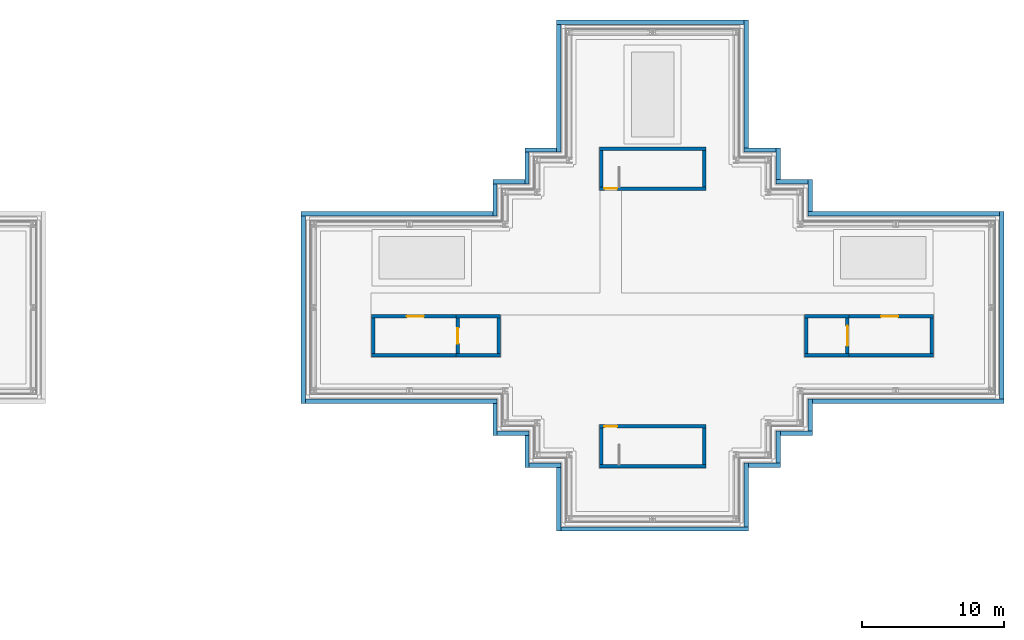
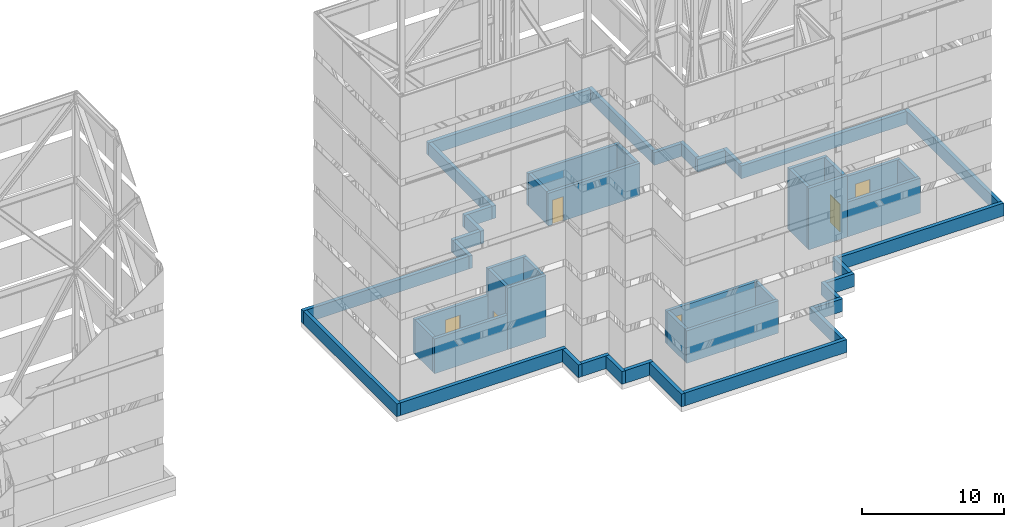
# One storey, part 11 of 19: 50 walls, 6 doors, 6 openings.
"""IFC4 building model written with IfcOpenShell, lengths in metres."""

import ifcopenshell
import ifcopenshell.guid

model = None  # the IFC model being written
_history = None  # IfcOwnerHistory: only IFC2X3 demands one
_inside = {}  # id of a spatial element -> (the spatial element, [elements in it])
_under = {}  # id of a project, library or spatial element -> (it, [spatial elements below it])
_declared = {}  # id of a project -> (the project, [libraries it declares])
_typed = {}  # id of a type object -> (the type object, [elements of that type])
_made_of = {}  # id of a material, layer set ... -> (it, [elements and type objects made of it])


def new_model(schema):
    """Start an empty IFC model of exactly this schema.

    Asked for "IFC4X3", IfcOpenShell would pick the latest addendum, in which some entities
    have other attributes; the version numbers below select the first issue.
    IFC2X3 requires an IfcOwnerHistory on every rooted entity: one is made here for all.
    """
    global model, _history
    if schema == "IFC4X3":
        model = ifcopenshell.file(schema_version=(4, 3, 0, 0))
    else:
        model = ifcopenshell.file(schema=schema)
    _inside.clear()
    _under.clear()
    _declared.clear()
    _typed.clear()
    _made_of.clear()
    _history = None
    if model.schema == "IFC2X3":
        org = make("IfcOrganization", Name="unknown")
        user = make(
            "IfcPersonAndOrganization",
            ThePerson=make("IfcPerson", FamilyName="unknown"),
            TheOrganization=org,
        )
        app = make(
            "IfcApplication",
            ApplicationDeveloper=org,
            Version="unknown",
            ApplicationFullName="unknown",
            ApplicationIdentifier="unknown",
        )
        _history = make(
            "IfcOwnerHistory",
            OwningUser=user,
            OwningApplication=app,
            ChangeAction="ADDED",
            CreationDate=0,
        )
    return model


def make(cls, **values):
    """One entity of the class cls with the attributes given. An attribute that is None is left unset."""
    return model.create_entity(
        cls, **{name: value for name, value in values.items() if value is not None}
    )


def rooted(cls, **values):
    """An entity with a GlobalId (a new one), such as an element, a storey or a relation."""
    return make(cls, GlobalId=ifcopenshell.guid.new(), OwnerHistory=_history, **values)


def si_unit(unit_type, name, prefix=None):
    """IfcSIUnit, for example si_unit("LENGTHUNIT", "METRE", prefix="MILLI")."""
    return make("IfcSIUnit", UnitType=unit_type, Prefix=prefix, Name=name)


def assignment(units):
    """IfcUnitAssignment: the units of a project."""
    return None if units is None else make("IfcUnitAssignment", Units=units)


def point(xyz):
    """IfcCartesianPoint."""
    return None if xyz is None else make("IfcCartesianPoint", Coordinates=xyz)


def direction(xyz):
    """IfcDirection."""
    return None if xyz is None else make("IfcDirection", DirectionRatios=xyz)


def frame(location, z_axis=None, x_axis=None):
    """IfcAxis2Placement3D, a coordinate frame: its origin and axes. An axis left out is left unset."""
    return make(
        "IfcAxis2Placement3D",
        Location=point(location),
        Axis=direction(z_axis),
        RefDirection=direction(x_axis),
    )


def frame_2d(location, x_axis=None):
    """IfcAxis2Placement2D, a coordinate frame in the plane: its origin and x axis."""
    return make(
        "IfcAxis2Placement2D", Location=point(location), RefDirection=direction(x_axis)
    )


def origin():
    """The frame at (0, 0, 0) with its axes left unset."""
    return frame((0.0, 0.0, 0.0))


def place(relative_to, where):
    """IfcLocalPlacement: puts the frame where relative to a parent placement (None: the world)."""
    return make(
        "IfcLocalPlacement", PlacementRelTo=relative_to, RelativePlacement=where
    )


def context(
    kind, dimensions, precision=None, world=None, true_north=None, identifier=None
):
    """IfcGeometricRepresentationContext, for example the 3D "Model" context."""
    return make(
        "IfcGeometricRepresentationContext",
        ContextIdentifier=identifier,
        ContextType=kind,
        CoordinateSpaceDimension=dimensions,
        Precision=precision,
        WorldCoordinateSystem=world,
        TrueNorth=true_north,
    )


def subcontext(parent, identifier, kind, view, scale=None):
    """IfcGeometricRepresentationSubContext, for example "Body" below "Model"."""
    return make(
        "IfcGeometricRepresentationSubContext",
        ContextIdentifier=identifier,
        ContextType=kind,
        ParentContext=parent,
        TargetScale=scale,
        TargetView=view,
    )


def project(units=None, contexts=None):
    """IfcProject with its units and contexts."""
    return rooted(
        "IfcProject",
        Name="project",
        RepresentationContexts=contexts,
        UnitsInContext=assignment(units),
    )


def spatial(cls, under=None, at=None, **own):
    """A site, building, storey or space (cls), placed at a placement, below another one or the project."""
    s = rooted(cls, ObjectPlacement=at, **own)
    if under is not None:
        _under.setdefault(under.id(), (under, []))[1].append(s)
    return s


def profile(cls, at=None, kind="AREA", **sizes):
    """A parametric profile (cls). Its sizes go by their IFC names, for example OverallWidth=200.0."""
    return make(cls, ProfileType=kind, Position=at, **sizes)


def rectangle(**sizes):
    """IfcRectangleProfileDef."""
    return profile("IfcRectangleProfileDef", **sizes)


def extrude(swept, where, along, depth):
    """IfcExtrudedAreaSolid: the profile swept, set in the frame where, extruded along a direction by depth."""
    return make(
        "IfcExtrudedAreaSolid",
        SweptArea=swept,
        Position=where,
        ExtrudedDirection=direction(along),
        Depth=depth,
    )


def shape(context_of_items, identifier, shape_type, items):
    """IfcShapeRepresentation: the items that make up one representation, for example the "Body"."""
    return make(
        "IfcShapeRepresentation",
        ContextOfItems=context_of_items,
        RepresentationIdentifier=identifier,
        RepresentationType=shape_type,
        Items=items,
    )


def material(Name=None, Category=None):
    """IfcMaterial."""
    return make("IfcMaterial", Name=Name, Category=Category)


def layer(
    of_material, thickness, ventilated=None, Name=None, Category=None, Priority=None
):
    """IfcMaterialLayer: one layer of a wall or slab, of a material (None: an air gap)."""
    return make(
        "IfcMaterialLayer",
        Material=of_material,
        LayerThickness=thickness,
        IsVentilated=ventilated,
        Name=Name,
        Category=Category,
        Priority=Priority,
    )


def layer_set(layers, Name=None):
    """IfcMaterialLayerSet."""
    return make("IfcMaterialLayerSet", MaterialLayers=layers, LayerSetName=Name)


def made_of(thing, what):
    """Note that an element or type object is made of a material, layer set ...; save() writes the relation."""
    if what is not None:
        _made_of.setdefault(what.id(), (what, []))[1].append(thing)
    return thing


def type_object(cls, material=None, **own):
    """A type object (cls), such as IfcWallType, which elements share."""
    return made_of(rooted(cls, **own), material)


def element(
    cls,
    number,
    at=None,
    inside=None,
    cuts=None,
    type_object=None,
    material=None,
    context=None,
    identifier="Body",
    shape_type=None,
    held_by="IfcProductDefinitionShape",
    body=None,
    shapes=None,
    **own,
):
    """One element of the class cls, such as IfcWall. Its Tag is "e" and its number.

    at: its placement. inside: the storey or other place that contains it. cuts: it is an
    opening in that element (IfcRelVoidsElement). A single representation is given by context,
    identifier, shape_type and body (its items); several are given by shapes. held_by: the class
    of the entity that holds the representations. save() writes the other relations.
    """
    e = rooted(cls, Tag="e%d" % number, ObjectPlacement=at, **own)
    if body is not None:
        shapes = [shape(context, identifier, shape_type, body)]
    if shapes is not None:
        e.Representation = make(held_by, Representations=shapes)
    if inside is not None:
        _inside.setdefault(inside.id(), (inside, []))[1].append(e)
    if cuts is not None:
        rooted(
            "IfcRelVoidsElement", RelatingBuildingElement=cuts, RelatedOpeningElement=e
        )
    if type_object is not None:
        _typed.setdefault(type_object.id(), (type_object, []))[1].append(e)
    return made_of(e, material)


def fill(opening, filler):
    """IfcRelFillsElement: the door or window that sits in an opening."""
    return rooted(
        "IfcRelFillsElement",
        RelatingOpeningElement=opening,
        RelatedBuildingElement=filler,
    )


def aggregate(whole, parts):
    """IfcRelAggregates: a whole, such as a stair, and the parts it consists of."""
    return rooted("IfcRelAggregates", RelatingObject=whole, RelatedObjects=parts)


def save(model, path):
    """Write the relations noted so far, then the file.

    IfcRelAggregates (storeys below a building ...), IfcRelContainedInSpatialStructure (elements
    in a storey), IfcRelDefinesByType, IfcRelAssociatesMaterial and IfcRelDeclares: one each for
    every whole, place, type object, material and project.
    """
    for whole, parts in _under.values():
        aggregate(whole, parts)
    for where, things in _inside.values():
        rooted(
            "IfcRelContainedInSpatialStructure",
            RelatedElements=things,
            RelatingStructure=where,
        )
    for kind, things in _typed.values():
        rooted("IfcRelDefinesByType", RelatedObjects=things, RelatingType=kind)
    for what, things in _made_of.values():
        rooted("IfcRelAssociatesMaterial", RelatedObjects=things, RelatingMaterial=what)
    for by, libraries in _declared.values():
        rooted("IfcRelDeclares", RelatingContext=by, RelatedDefinitions=libraries)
    model.write(path)


model = new_model("IFC4")

# Units and contexts
model_context = context("Model", 3, precision=1e-05, world=origin(), true_north=direction((0.0, 1.0)))
body_context = subcontext(model_context, "Body", "Model", "MODEL_VIEW")
ifc_project = project(units=[si_unit("LENGTHUNIT", "METRE"), si_unit("AREAUNIT", "SQUARE_METRE"), si_unit("VOLUMEUNIT", "CUBIC_METRE"), si_unit("PLANEANGLEUNIT", "RADIAN"), si_unit("MASSUNIT", "GRAM", prefix="KILO")], contexts=[model_context])

# Site, building, storey
site_placement = place(None, origin())
site = spatial("IfcSite", under=ifc_project, at=site_placement, CompositionType="ELEMENT")
building_placement = place(site_placement, origin())
building = spatial("IfcBuilding", under=site, at=building_placement, Name="Shamsa Quay Exchange Towers", CompositionType="ELEMENT")
storey_placement = place(building_placement, frame((0.0, 0.0, 284.300048828125)))
storey = spatial("IfcBuildingStorey", under=building, at=storey_placement, Name="Roof", CompositionType="ELEMENT", Elevation=284.300048828125)

# Walls
ifc_material_1 = material(Name="Reinforced concrete C30/37", Category="concrete")
ifc_layer_1 = layer(ifc_material_1, 0.300048828125)
ifc_layer_set_1 = layer_set([ifc_layer_1], Name="ROOF PARAPET 300 C30/37")
wall_type_1 = type_object("IfcWallType", Name="ROOF PARAPET 300 C30/37", PredefinedType="PARAPET", material=ifc_layer_set_1)
wall_1_placement = place(storey_placement, frame((42.60009765625, -10.949951171875, 0.0), z_axis=(0.0, 0.0, 1.0), x_axis=(0.0, 1.0, 0.0)))
element("IfcWall", 1, at=wall_1_placement, inside=storey, type_object=wall_type_1, Name="Parapet T2 1", PredefinedType="PARAPET", context=body_context, shape_type="SweptSolid", body=[
    extrude(rectangle(XDim=2.25, YDim=0.300048828125, at=frame_2d((1.125, 0.0))), origin(), (0.0, 0.0, 1.0), 1.099853515625),
])
wall_2_placement = place(storey_placement, frame((42.75, -8.85009765625, 0.0)))
element("IfcWall", 2, at=wall_2_placement, inside=storey, type_object=wall_type_1, Name="Parapet T2 2", PredefinedType="PARAPET", context=body_context, shape_type="SweptSolid", body=[
    extrude(rectangle(XDim=2.25, YDim=0.300048828125, at=frame_2d((1.125, 0.0))), origin(), (0.0, 0.0, 1.0), 1.099853515625),
])
wall_3_placement = place(storey_placement, frame((44.85009765625, -8.699951171875, 0.0), z_axis=(0.0, 0.0, 1.0), x_axis=(0.0, 1.0, 0.0)))
element("IfcWall", 3, at=wall_3_placement, inside=storey, type_object=wall_type_1, Name="Parapet T2 3", PredefinedType="PARAPET", context=body_context, shape_type="SweptSolid", body=[
    extrude(rectangle(XDim=2.25, YDim=0.300048828125, at=frame_2d((1.125, 0.0))), origin(), (0.0, 0.0, 1.0), 1.099853515625),
])
wall_4_placement = place(storey_placement, frame((45.0, -6.60009765625, 0.0)))
element("IfcWall", 4, at=wall_4_placement, inside=storey, type_object=wall_type_1, Name="Parapet T2 4", PredefinedType="PARAPET", context=body_context, shape_type="SweptSolid", body=[
    extrude(rectangle(XDim=13.5, YDim=0.300048828125, at=frame_2d((6.75, 0.0))), origin(), (0.0, 0.0, 1.0), 1.099853515625),
])
wall_5_placement = place(storey_placement, frame((58.35009765625, -6.449951171875, 0.0), z_axis=(0.0, 0.0, 1.0), x_axis=(0.0, 1.0, 0.0)))
element("IfcWall", 5, at=wall_5_placement, inside=storey, type_object=wall_type_1, Name="Parapet T2 5", PredefinedType="PARAPET", context=body_context, shape_type="SweptSolid", body=[
    extrude(rectangle(XDim=13.199951171875, YDim=0.300048828125, at=frame_2d((6.60009765625, 0.0))), origin(), (0.0, 0.0, 1.0), 1.099853515625),
])
wall_6_placement = place(storey_placement, frame((58.199951171875, 6.60009765625, 0.0), z_axis=(0.0, 0.0, 1.0), x_axis=(-1.0, 0.0, 0.0)))
element("IfcWall", 6, at=wall_6_placement, inside=storey, type_object=wall_type_1, Name="Parapet T2 6", PredefinedType="PARAPET", context=body_context, shape_type="SweptSolid", body=[
    extrude(rectangle(XDim=13.5, YDim=0.300048828125, at=frame_2d((6.75, 0.0))), origin(), (0.0, 0.0, 1.0), 1.099853515625),
])
for number, where, z_axis, x_axis, name in (
    (7, (44.85009765625, 6.75, 0.0), (0.0, 0.0, 1.0), (0.0, 1.0, 0.0), "Parapet T2 7"),
    (8, (44.699951171875, 8.85009765625, 0.0), (0.0, 0.0, 1.0), (-1.0, 0.0, 0.0), "Parapet T2 8"),
    (9, (42.60009765625, 9.0, 0.0), (0.0, 0.0, 1.0), (0.0, 1.0, 0.0), "Parapet T2 9"),
    (10, (42.449951171875, 11.10009765625, 0.0), (0.0, 0.0, 1.0), (-1.0, 0.0, 0.0), "Parapet T2 10"),
):
    element("IfcWall", number, at=place(storey_placement, frame(where, z_axis=z_axis, x_axis=x_axis)), inside=storey, type_object=wall_type_1, Name=name, PredefinedType="PARAPET", context=body_context, shape_type="SweptSolid", body=[
        extrude(rectangle(XDim=2.25, YDim=0.300048828125, at=frame_2d((1.125, 0.0))), origin(), (0.0, 0.0, 1.0), 1.099853515625),
    ])
wall_7_placement = place(storey_placement, frame((40.35009765625, 11.25, 0.0), z_axis=(0.0, 0.0, 1.0), x_axis=(0.0, 1.0, 0.0)))
element("IfcWall", 11, at=wall_7_placement, inside=storey, type_object=wall_type_1, Name="Parapet T2 11", PredefinedType="PARAPET", context=body_context, shape_type="SweptSolid", body=[
    extrude(rectangle(XDim=9.0, YDim=0.300048828125, at=frame_2d((4.5, 0.0))), origin(), (0.0, 0.0, 1.0), 1.099853515625),
])
wall_8_placement = place(storey_placement, frame((40.199951171875, 20.10009765625, 0.0), z_axis=(0.0, 0.0, 1.0), x_axis=(-1.0, 0.0, 0.0)))
element("IfcWall", 12, at=wall_8_placement, inside=storey, type_object=wall_type_1, Name="Parapet T2 12", PredefinedType="PARAPET", context=body_context, shape_type="SweptSolid", body=[
    extrude(rectangle(XDim=13.199951171875, YDim=0.300048828125, at=frame_2d((6.60009765625, 0.0))), origin(), (0.0, 0.0, 1.0), 1.099853515625),
])
wall_9_placement = place(storey_placement, frame((27.14990234375, 19.949951171875, 0.0), z_axis=(0.0, 0.0, 1.0), x_axis=(0.0, -1.0, 0.0)))
element("IfcWall", 13, at=wall_9_placement, inside=storey, type_object=wall_type_1, Name="Parapet T2 13", PredefinedType="PARAPET", context=body_context, shape_type="SweptSolid", body=[
    extrude(rectangle(XDim=9.0, YDim=0.300048828125, at=frame_2d((4.5, 0.0))), origin(), (0.0, 0.0, 1.0), 1.099853515625),
])
for number, where, z_axis, x_axis, name in (
    (14, (27.0, 11.10009765625, 0.0), (0.0, 0.0, 1.0), (-1.0, 0.0, 0.0), "Parapet T2 14"),
    (15, (24.89990234375, 10.949951171875, 0.0), (0.0, 0.0, 1.0), (0.0, -1.0, 0.0), "Parapet T2 15"),
    (16, (24.75, 8.85009765625, 0.0), (0.0, 0.0, 1.0), (-1.0, 0.0, 0.0), "Parapet T2 16"),
    (17, (22.64990234375, 8.699951171875, 0.0), (0.0, 0.0, 1.0), (0.0, -1.0, 0.0), "Parapet T2 17"),
):
    element("IfcWall", number, at=place(storey_placement, frame(where, z_axis=z_axis, x_axis=x_axis)), inside=storey, type_object=wall_type_1, Name=name, PredefinedType="PARAPET", context=body_context, shape_type="SweptSolid", body=[
        extrude(rectangle(XDim=2.25, YDim=0.300048828125, at=frame_2d((1.125, 0.0))), origin(), (0.0, 0.0, 1.0), 1.099853515625),
    ])
wall_10_placement = place(storey_placement, frame((22.5, 6.60009765625, 0.0), z_axis=(0.0, 0.0, 1.0), x_axis=(-1.0, 0.0, 0.0)))
element("IfcWall", 18, at=wall_10_placement, inside=storey, type_object=wall_type_1, Name="Parapet T2 18", PredefinedType="PARAPET", context=body_context, shape_type="SweptSolid", body=[
    extrude(rectangle(XDim=13.5, YDim=0.300048828125, at=frame_2d((6.75, 0.0))), origin(), (0.0, 0.0, 1.0), 1.099853515625),
])
wall_11_placement = place(storey_placement, frame((9.14990234375, 6.449951171875, 0.0), z_axis=(0.0, 0.0, 1.0), x_axis=(0.0, -1.0, 0.0)))
element("IfcWall", 19, at=wall_11_placement, inside=storey, type_object=wall_type_1, Name="Parapet T2 19", PredefinedType="PARAPET", context=body_context, shape_type="SweptSolid", body=[
    extrude(rectangle(XDim=13.199951171875, YDim=0.300048828125, at=frame_2d((6.60009765625, 0.0))), origin(), (0.0, 0.0, 1.0), 1.099853515625),
])
wall_12_placement = place(storey_placement, frame((9.300048828125, -6.60009765625, 0.0)))
element("IfcWall", 20, at=wall_12_placement, inside=storey, type_object=wall_type_1, Name="Parapet T2 20", PredefinedType="PARAPET", context=body_context, shape_type="SweptSolid", body=[
    extrude(rectangle(XDim=13.5, YDim=0.300048828125, at=frame_2d((6.75, 0.0))), origin(), (0.0, 0.0, 1.0), 1.099853515625),
])
wall_13_placement = place(storey_placement, frame((22.64990234375, -6.75, 0.0), z_axis=(0.0, 0.0, 1.0), x_axis=(0.0, -1.0, 0.0)))
element("IfcWall", 21, at=wall_13_placement, inside=storey, type_object=wall_type_1, Name="Parapet T2 21", PredefinedType="PARAPET", context=body_context, shape_type="SweptSolid", body=[
    extrude(rectangle(XDim=2.25, YDim=0.300048828125, at=frame_2d((1.125, 0.0))), origin(), (0.0, 0.0, 1.0), 1.099853515625),
])
wall_14_placement = place(storey_placement, frame((22.800048828125, -8.85009765625, 0.0)))
element("IfcWall", 22, at=wall_14_placement, inside=storey, type_object=wall_type_1, Name="Parapet T2 22", PredefinedType="PARAPET", context=body_context, shape_type="SweptSolid", body=[
    extrude(rectangle(XDim=2.25, YDim=0.300048828125, at=frame_2d((1.125, 0.0))), origin(), (0.0, 0.0, 1.0), 1.099853515625),
])
wall_15_placement = place(storey_placement, frame((24.89990234375, -9.0, 0.0), z_axis=(0.0, 0.0, 1.0), x_axis=(0.0, -1.0, 0.0)))
element("IfcWall", 23, at=wall_15_placement, inside=storey, type_object=wall_type_1, Name="Parapet T2 23", PredefinedType="PARAPET", context=body_context, shape_type="SweptSolid", body=[
    extrude(rectangle(XDim=2.25, YDim=0.300048828125, at=frame_2d((1.125, 0.0))), origin(), (0.0, 0.0, 1.0), 1.099853515625),
])
wall_16_placement = place(storey_placement, frame((25.050048828125, -11.10009765625, 0.0)))
element("IfcWall", 24, at=wall_16_placement, inside=storey, type_object=wall_type_1, Name="Parapet T2 24", PredefinedType="PARAPET", context=body_context, shape_type="SweptSolid", body=[
    extrude(rectangle(XDim=2.25, YDim=0.300048828125, at=frame_2d((1.125, 0.0))), origin(), (0.0, 0.0, 1.0), 1.099853515625),
])
wall_17_placement = place(storey_placement, frame((27.14990234375, -11.25, 0.0), z_axis=(0.0, 0.0, 1.0), x_axis=(0.0, -1.0, 0.0)))
element("IfcWall", 25, at=wall_17_placement, inside=storey, type_object=wall_type_1, Name="Parapet T2 25", PredefinedType="PARAPET", context=body_context, shape_type="SweptSolid", body=[
    extrude(rectangle(XDim=4.5, YDim=0.300048828125, at=frame_2d((2.25, 0.0))), origin(), (0.0, 0.0, 1.0), 1.099853515625),
])
wall_18_placement = place(storey_placement, frame((27.300048828125, -15.60009765625, 0.0)))
element("IfcWall", 26, at=wall_18_placement, inside=storey, type_object=wall_type_1, Name="Parapet T2 26", PredefinedType="PARAPET", context=body_context, shape_type="SweptSolid", body=[
    extrude(rectangle(XDim=13.199951171875, YDim=0.300048828125, at=frame_2d((6.60009765625, 0.0))), origin(), (0.0, 0.0, 1.0), 1.099853515625),
])
wall_19_placement = place(storey_placement, frame((40.35009765625, -15.449951171875, 0.0), z_axis=(0.0, 0.0, 1.0), x_axis=(0.0, 1.0, 0.0)))
element("IfcWall", 27, at=wall_19_placement, inside=storey, type_object=wall_type_1, Name="Parapet T2 27", PredefinedType="PARAPET", context=body_context, shape_type="SweptSolid", body=[
    extrude(rectangle(XDim=4.5, YDim=0.300048828125, at=frame_2d((2.25, 0.0))), origin(), (0.0, 0.0, 1.0), 1.099853515625),
])
wall_20_placement = place(storey_placement, frame((40.5, -11.10009765625, 0.0)))
element("IfcWall", 28, at=wall_20_placement, inside=storey, type_object=wall_type_1, Name="Parapet T2 28", PredefinedType="PARAPET", context=body_context, shape_type="SweptSolid", body=[
    extrude(rectangle(XDim=2.25, YDim=0.300048828125, at=frame_2d((1.125, 0.0))), origin(), (0.0, 0.0, 1.0), 1.099853515625),
])

# Wall, opening, door
ifc_material_2 = material(Name="Concrete C50/60", Category="concrete")
ifc_layer_2 = layer(ifc_material_2, 0.25)
ifc_layer_set_2 = layer_set([ifc_layer_2], Name="SHAFT WALL 250 C50/60")
wall_type_2 = type_object("IfcWallType", Name="SHAFT WALL 250 C50/60", PredefinedType="SHEAR", material=ifc_layer_set_2)
wall_21_placement = place(storey_placement, frame((37.5, 8.375, 0.0), z_axis=(0.0, 0.0, 1.0), x_axis=(-1.0, 0.0, 0.0)))
wall_21 = element("IfcWall", 29, at=wall_21_placement, inside=storey, type_object=wall_type_2, Name="Head-house wall RS3 S", PredefinedType="SHEAR", context=body_context, shape_type="SweptSolid", body=[
    extrude(rectangle(XDim=7.5, YDim=0.25, at=frame_2d((3.75, 0.0))), origin(), (0.0, 0.0, 1.0), 2.800048828125),
])
opening_1_placement = place(wall_21_placement, frame((6.25, 0.0, 0.0)))
opening_1 = element("IfcOpeningElement", 30, at=opening_1_placement, cuts=wall_21, Name="Opening RS3-Roof-SD01", PredefinedType="OPENING", context=body_context, shape_type="SweptSolid", body=[
    extrude(rectangle(XDim=0.89990234375, YDim=2.10009765625, at=frame_2d((0.449951171875, 1.050048828125))), frame((0.0, 0.135009765625, 0.0), z_axis=(0.0, -1.0, 0.0), x_axis=(1.0, 0.0, 0.0)), (0.0, 0.0, 1.0), 0.27001953125),
])
ifc_material_3 = material(Name="Steel, fire rated", Category="steel")
door_type_1 = type_object("IfcDoorType", Name="ROOF STAIR DOOR 900", OperationType="SINGLE_SWING_LEFT", PredefinedType="DOOR", material=ifc_material_3)
door_1_placement = place(opening_1_placement, origin())
door_1 = element("IfcDoor", 31, at=door_1_placement, inside=storey, type_object=door_type_1, Name="RS3-Roof-SD01", OperationType="SINGLE_SWING_RIGHT", OverallHeight=2.10009765625, OverallWidth=0.89990234375, PredefinedType="DOOR", context=body_context, shape_type="SweptSolid", body=[
    extrude(rectangle(XDim=0.89990234375, YDim=2.10009765625, at=frame_2d((0.449951171875, 1.050048828125))), frame((0.0, 0.02490234375, 0.0), z_axis=(0.0, -1.0, 0.0), x_axis=(1.0, 0.0, 0.0)), (0.0, 0.0, 1.0), 0.050048828125),
])
fill(opening_1, door_1)

# Walls
wall_22_placement = place(storey_placement, frame((30.0, 11.175048828125, 0.0)))
element("IfcWall", 32, at=wall_22_placement, inside=storey, type_object=wall_type_2, Name="Head-house wall RS3 N", PredefinedType="SHEAR", context=body_context, shape_type="SweptSolid", body=[
    extrude(rectangle(XDim=7.5, YDim=0.25, at=frame_2d((3.75, 0.0))), origin(), (0.0, 0.0, 1.0), 2.800048828125),
])
for number, where, z_axis, x_axis, name in (
    (33, (30.125, 8.5, 0.0), (0.0, 0.0, 1.0), (0.0, 1.0, 0.0), "Head-house wall RS3 W"),
    (34, (37.375, 8.5, 0.0), (0.0, 0.0, 1.0), (0.0, 1.0, 0.0), "Head-house wall RS3 E"),
):
    element("IfcWall", number, at=place(storey_placement, frame(where, z_axis=z_axis, x_axis=x_axis)), inside=storey, type_object=wall_type_2, Name=name, PredefinedType="SHEAR", context=body_context, shape_type="SweptSolid", body=[
        extrude(rectangle(XDim=2.550048828125, YDim=0.25, at=frame_2d((1.27490234375, 0.0))), origin(), (0.0, 0.0, 1.0), 2.800048828125),
    ])

# Wall, opening, door
wall_23_placement = place(storey_placement, frame((30.0, -8.375, 0.0)))
wall_23 = element("IfcWall", 35, at=wall_23_placement, inside=storey, type_object=wall_type_2, Name="Head-house wall RS4 S", PredefinedType="SHEAR", context=body_context, shape_type="SweptSolid", body=[
    extrude(rectangle(XDim=7.5, YDim=0.25, at=frame_2d((3.75, 0.0))), origin(), (0.0, 0.0, 1.0), 2.800048828125),
])
opening_2_placement = place(wall_23_placement, frame((0.35009765625, 0.0, 0.0)))
opening_2 = element("IfcOpeningElement", 36, at=opening_2_placement, cuts=wall_23, Name="Opening RS4-Roof-SD01", PredefinedType="OPENING", context=body_context, shape_type="SweptSolid", body=[
    extrude(rectangle(XDim=0.89990234375, YDim=2.10009765625, at=frame_2d((0.449951171875, 1.050048828125))), frame((0.0, 0.135009765625, 0.0), z_axis=(0.0, -1.0, 0.0), x_axis=(1.0, 0.0, 0.0)), (0.0, 0.0, 1.0), 0.27001953125),
])
door_2_placement = place(opening_2_placement, origin())
door_2 = element("IfcDoor", 37, at=door_2_placement, inside=storey, type_object=door_type_1, Name="RS4-Roof-SD01", OperationType="SINGLE_SWING_LEFT", OverallHeight=2.10009765625, OverallWidth=0.89990234375, PredefinedType="DOOR", context=body_context, shape_type="SweptSolid", body=[
    extrude(rectangle(XDim=0.89990234375, YDim=2.10009765625, at=frame_2d((0.449951171875, 1.050048828125))), frame((0.0, 0.02490234375, 0.0), z_axis=(0.0, -1.0, 0.0), x_axis=(1.0, 0.0, 0.0)), (0.0, 0.0, 1.0), 0.050048828125),
])
fill(opening_2, door_2)

# Walls
wall_24_placement = place(storey_placement, frame((30.0, -11.175048828125, 0.0)))
element("IfcWall", 38, at=wall_24_placement, inside=storey, type_object=wall_type_2, Name="Head-house wall RS4 N", PredefinedType="SHEAR", context=body_context, shape_type="SweptSolid", body=[
    extrude(rectangle(XDim=7.5, YDim=0.25, at=frame_2d((3.75, 0.0))), origin(), (0.0, 0.0, 1.0), 2.800048828125),
])
for number, where, z_axis, x_axis, name in (
    (39, (30.125, -11.050048828125, 0.0), (0.0, 0.0, 1.0), (0.0, 1.0, 0.0), "Head-house wall RS4 W"),
    (40, (37.375, -11.050048828125, 0.0), (0.0, 0.0, 1.0), (0.0, 1.0, 0.0), "Head-house wall RS4 E"),
):
    element("IfcWall", number, at=place(storey_placement, frame(where, z_axis=z_axis, x_axis=x_axis)), inside=storey, type_object=wall_type_2, Name=name, PredefinedType="SHEAR", context=body_context, shape_type="SweptSolid", body=[
        extrude(rectangle(XDim=2.550048828125, YDim=0.25, at=frame_2d((1.27490234375, 0.0))), origin(), (0.0, 0.0, 1.0), 2.800048828125),
    ])
wall_25_placement = place(storey_placement, frame((14.074951171875, -3.25, 0.0), z_axis=(0.0, 0.0, 1.0), x_axis=(0.0, 1.0, 0.0)))
element("IfcWall", 41, at=wall_25_placement, inside=storey, type_object=wall_type_2, Name="Lift head-house wall FL3 front", PredefinedType="SHEAR", context=body_context, shape_type="SweptSolid", body=[
    extrude(rectangle(XDim=2.5, YDim=0.25, at=frame_2d((1.25, 0.0))), origin(), (0.0, 0.0, 1.0), 3.0),
])
wall_26_placement = place(storey_placement, frame((13.949951171875, -3.375, 0.0)))
element("IfcWall", 42, at=wall_26_placement, inside=storey, type_object=wall_type_2, Name="Lift head-house wall FL3 lobby south", PredefinedType="SHEAR", context=body_context, shape_type="SweptSolid", body=[
    extrude(rectangle(XDim=5.949951171875, YDim=0.25, at=frame_2d((2.97509765625, 0.0))), origin(), (0.0, 0.0, 1.0), 3.0),
])

# Wall, opening, door
wall_27_placement = place(storey_placement, frame((13.949951171875, -0.625, 0.0)))
wall_27 = element("IfcWall", 43, at=wall_27_placement, inside=storey, type_object=wall_type_2, Name="Lift head-house wall FL3 lobby north", PredefinedType="SHEAR", context=body_context, shape_type="SweptSolid", body=[
    extrude(rectangle(XDim=5.949951171875, YDim=0.25, at=frame_2d((2.97509765625, 0.0))), origin(), (0.0, 0.0, 1.0), 3.0),
])
opening_3_placement = place(wall_27_placement, frame((2.5, 0.0, 0.0)))
opening_3 = element("IfcOpeningElement", 44, at=opening_3_placement, cuts=wall_27, Name="Opening FL3-Roof-FD01", PredefinedType="OPENING", context=body_context, shape_type="SweptSolid", body=[
    extrude(rectangle(XDim=1.199951171875, YDim=2.10009765625, at=frame_2d((0.60009765625, 1.050048828125))), frame((0.0, 0.135009765625, 0.0), z_axis=(0.0, -1.0, 0.0), x_axis=(1.0, 0.0, 0.0)), (0.0, 0.0, 1.0), 0.27001953125),
])
door_type_2 = type_object("IfcDoorType", Name="FIRE SERVICE LOBBY DOOR 1200", OperationType="SINGLE_SWING_LEFT", PredefinedType="DOOR", material=ifc_material_3)
door_3_placement = place(opening_3_placement, origin())
door_3 = element("IfcDoor", 45, at=door_3_placement, inside=storey, type_object=door_type_2, Name="Fire service lift lobby door FL3 roof", OperationType="SINGLE_SWING_RIGHT", OverallHeight=2.10009765625, OverallWidth=1.199951171875, PredefinedType="DOOR", context=body_context, shape_type="SweptSolid", body=[
    extrude(rectangle(XDim=1.199951171875, YDim=2.10009765625, at=frame_2d((0.60009765625, 1.050048828125))), frame((0.0, 0.02490234375, 0.0), z_axis=(0.0, -1.0, 0.0), x_axis=(1.0, 0.0, 0.0)), (0.0, 0.0, 1.0), 0.050048828125),
])
fill(opening_3, door_3)

# Walls
for number, where, name in (
    (46, (19.89990234375, -3.375, 0.0), "Lift head-house wall FL3 shaft south"),
    (47, (19.89990234375, -0.625, 0.0), "Lift head-house wall FL3 shaft north"),
):
    element("IfcWall", number, at=place(storey_placement, frame(where)), inside=storey, type_object=wall_type_2, Name=name, PredefinedType="SHEAR", context=body_context, shape_type="SweptSolid", body=[
        extrude(rectangle(XDim=3.150146484375, YDim=0.25, at=frame_2d((1.5751953125, 0.0))), origin(), (0.0, 0.0, 1.0), 5.300048828125),
    ])

# Wall, opening, door
wall_28_placement = place(storey_placement, frame((20.02490234375, -3.25, 0.0), z_axis=(0.0, 0.0, 1.0), x_axis=(0.0, 1.0, 0.0)))
wall_28 = element("IfcWall", 48, at=wall_28_placement, inside=storey, type_object=wall_type_2, Name="Lift head-house wall FL3 shaft front", PredefinedType="SHEAR", context=body_context, shape_type="SweptSolid", body=[
    extrude(rectangle(XDim=2.5, YDim=0.25, at=frame_2d((1.25, 0.0))), origin(), (0.0, 0.0, 1.0), 5.300048828125),
])
opening_4_placement = place(wall_28_placement, frame((0.699951171875, 0.0, 0.0)))
opening_4 = element("IfcOpeningElement", 49, at=opening_4_placement, cuts=wall_28, Name="Opening FL3-Roof-LDF01", PredefinedType="OPENING", context=body_context, shape_type="SweptSolid", body=[
    extrude(rectangle(XDim=1.10009765625, YDim=2.10009765625, at=frame_2d((0.550048828125, 1.050048828125))), frame((0.0, 0.135009765625, 0.0), z_axis=(0.0, -1.0, 0.0), x_axis=(1.0, 0.0, 0.0)), (0.0, 0.0, 1.0), 0.27001953125),
])
door_type_3 = type_object("IfcDoorType", Name="FIRE SERVICE LANDING DOOR 1100", OperationType="SLIDING_TO_LEFT", PredefinedType="DOOR", material=ifc_material_3)
door_4_placement = place(opening_4_placement, origin())
door_4 = element("IfcDoor", 50, at=door_4_placement, inside=storey, type_object=door_type_3, Name="Fire service lift landing door FL3 roof", OperationType="SLIDING_TO_LEFT", OverallHeight=2.10009765625, OverallWidth=1.10009765625, PredefinedType="DOOR", context=body_context, shape_type="SweptSolid", body=[
    extrude(rectangle(XDim=1.10009765625, YDim=2.10009765625, at=frame_2d((0.550048828125, 1.050048828125))), frame((0.0, 0.02490234375, 0.0), z_axis=(0.0, -1.0, 0.0), x_axis=(1.0, 0.0, 0.0)), (0.0, 0.0, 1.0), 0.050048828125),
])
fill(opening_4, door_4)

# Walls
wall_29_placement = place(storey_placement, frame((22.925048828125, -3.25, 0.0), z_axis=(0.0, 0.0, 1.0), x_axis=(0.0, 1.0, 0.0)))
element("IfcWall", 51, at=wall_29_placement, inside=storey, type_object=wall_type_2, Name="Lift head-house wall FL3 shaft back", PredefinedType="SHEAR", context=body_context, shape_type="SweptSolid", body=[
    extrude(rectangle(XDim=2.5, YDim=0.25, at=frame_2d((1.25, 0.0))), origin(), (0.0, 0.0, 1.0), 5.300048828125),
])
wall_30_placement = place(storey_placement, frame((53.425048828125, -3.25, 0.0), z_axis=(0.0, 0.0, 1.0), x_axis=(0.0, 1.0, 0.0)))
element("IfcWall", 52, at=wall_30_placement, inside=storey, type_object=wall_type_2, Name="Lift head-house wall FL4 front", PredefinedType="SHEAR", context=body_context, shape_type="SweptSolid", body=[
    extrude(rectangle(XDim=2.5, YDim=0.25, at=frame_2d((1.25, 0.0))), origin(), (0.0, 0.0, 1.0), 3.0),
])
wall_31_placement = place(storey_placement, frame((53.550048828125, -3.375, 0.0), z_axis=(0.0, 0.0, 1.0), x_axis=(-1.0, 0.0, 0.0)))
element("IfcWall", 53, at=wall_31_placement, inside=storey, type_object=wall_type_2, Name="Lift head-house wall FL4 lobby south", PredefinedType="SHEAR", context=body_context, shape_type="SweptSolid", body=[
    extrude(rectangle(XDim=5.949951171875, YDim=0.25, at=frame_2d((2.97509765625, 0.0))), origin(), (0.0, 0.0, 1.0), 3.0),
])

# Wall, opening, door
wall_32_placement = place(storey_placement, frame((47.60009765625, -0.625, 0.0)))
wall_32 = element("IfcWall", 54, at=wall_32_placement, inside=storey, type_object=wall_type_2, Name="Lift head-house wall FL4 lobby north", PredefinedType="SHEAR", context=body_context, shape_type="SweptSolid", body=[
    extrude(rectangle(XDim=5.949951171875, YDim=0.25, at=frame_2d((2.97509765625, 0.0))), origin(), (0.0, 0.0, 1.0), 3.0),
])
opening_5_placement = place(wall_32_placement, frame((2.25, 0.0, 0.0)))
opening_5 = element("IfcOpeningElement", 55, at=opening_5_placement, cuts=wall_32, Name="Opening FL4-Roof-FD01", PredefinedType="OPENING", context=body_context, shape_type="SweptSolid", body=[
    extrude(rectangle(XDim=1.199951171875, YDim=2.10009765625, at=frame_2d((0.60009765625, 1.050048828125))), frame((0.0, 0.135009765625, 0.0), z_axis=(0.0, -1.0, 0.0), x_axis=(1.0, 0.0, 0.0)), (0.0, 0.0, 1.0), 0.27001953125),
])
door_5_placement = place(opening_5_placement, origin())
door_5 = element("IfcDoor", 56, at=door_5_placement, inside=storey, type_object=door_type_2, Name="Fire service lift lobby door FL4 roof", OperationType="SINGLE_SWING_LEFT", OverallHeight=2.10009765625, OverallWidth=1.199951171875, PredefinedType="DOOR", context=body_context, shape_type="SweptSolid", body=[
    extrude(rectangle(XDim=1.199951171875, YDim=2.10009765625, at=frame_2d((0.60009765625, 1.050048828125))), frame((0.0, 0.02490234375, 0.0), z_axis=(0.0, -1.0, 0.0), x_axis=(1.0, 0.0, 0.0)), (0.0, 0.0, 1.0), 0.050048828125),
])
fill(opening_5, door_5)

# Walls
for number, where, z_axis, x_axis, name in (
    (57, (47.60009765625, -3.375, 0.0), (0.0, 0.0, 1.0), (-1.0, 0.0, 0.0), "Lift head-house wall FL4 shaft south"),
    (58, (47.60009765625, -0.625, 0.0), (0.0, 0.0, 1.0), (-1.0, 0.0, 0.0), "Lift head-house wall FL4 shaft north"),
):
    element("IfcWall", number, at=place(storey_placement, frame(where, z_axis=z_axis, x_axis=x_axis)), inside=storey, type_object=wall_type_2, Name=name, PredefinedType="SHEAR", context=body_context, shape_type="SweptSolid", body=[
        extrude(rectangle(XDim=3.150146484375, YDim=0.25, at=frame_2d((1.5751953125, 0.0))), origin(), (0.0, 0.0, 1.0), 5.300048828125),
    ])

# Wall, opening, door
wall_33_placement = place(storey_placement, frame((47.47509765625, -0.75, 0.0), z_axis=(0.0, 0.0, 1.0), x_axis=(0.0, -1.0, 0.0)))
wall_33 = element("IfcWall", 59, at=wall_33_placement, inside=storey, type_object=wall_type_2, Name="Lift head-house wall FL4 shaft front", PredefinedType="SHEAR", context=body_context, shape_type="SweptSolid", body=[
    extrude(rectangle(XDim=2.5, YDim=0.25, at=frame_2d((1.25, 0.0))), origin(), (0.0, 0.0, 1.0), 5.300048828125),
])
opening_6_placement = place(wall_33_placement, frame((0.550048828125, 0.0, 0.0)))
opening_6 = element("IfcOpeningElement", 60, at=opening_6_placement, cuts=wall_33, Name="Opening FL4-Roof-LDG01", PredefinedType="OPENING", context=body_context, shape_type="SweptSolid", body=[
    extrude(rectangle(XDim=1.39990234375, YDim=2.39990234375, at=frame_2d((0.699951171875, 1.199951171875))), frame((0.0, 0.135009765625, 0.0), z_axis=(0.0, -1.0, 0.0), x_axis=(1.0, 0.0, 0.0)), (0.0, 0.0, 1.0), 0.27001953125),
])
door_type_4 = type_object("IfcDoorType", Name="GOODS LIFT LANDING DOOR 1400", OperationType="SLIDING_TO_LEFT", PredefinedType="DOOR", material=ifc_material_3)
door_6_placement = place(opening_6_placement, origin())
door_6 = element("IfcDoor", 61, at=door_6_placement, inside=storey, type_object=door_type_4, Name="Fire service lift landing door FL4 roof", OperationType="SLIDING_TO_LEFT", OverallHeight=2.39990234375, OverallWidth=1.39990234375, PredefinedType="DOOR", context=body_context, shape_type="SweptSolid", body=[
    extrude(rectangle(XDim=1.39990234375, YDim=2.39990234375, at=frame_2d((0.699951171875, 1.199951171875))), frame((0.0, 0.02490234375, 0.0), z_axis=(0.0, -1.0, 0.0), x_axis=(1.0, 0.0, 0.0)), (0.0, 0.0, 1.0), 0.050048828125),
])
fill(opening_6, door_6)

# Wall
wall_34_placement = place(storey_placement, frame((44.574951171875, -3.25, 0.0), z_axis=(0.0, 0.0, 1.0), x_axis=(0.0, 1.0, 0.0)))
element("IfcWall", 62, at=wall_34_placement, inside=storey, type_object=wall_type_2, Name="Lift head-house wall FL4 shaft back", PredefinedType="SHEAR", context=body_context, shape_type="SweptSolid", body=[
    extrude(rectangle(XDim=2.5, YDim=0.25, at=frame_2d((1.25, 0.0))), origin(), (0.0, 0.0, 1.0), 5.300048828125),
])

save(model, "model.ifc")
